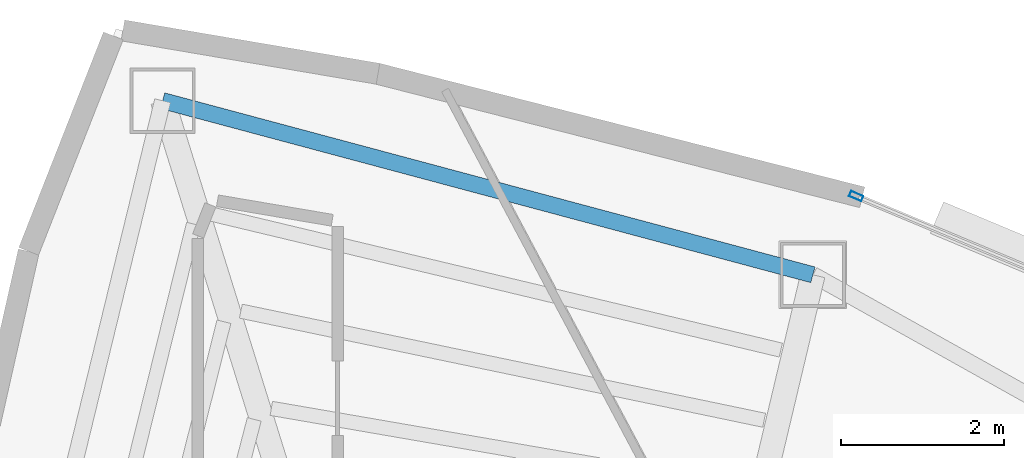
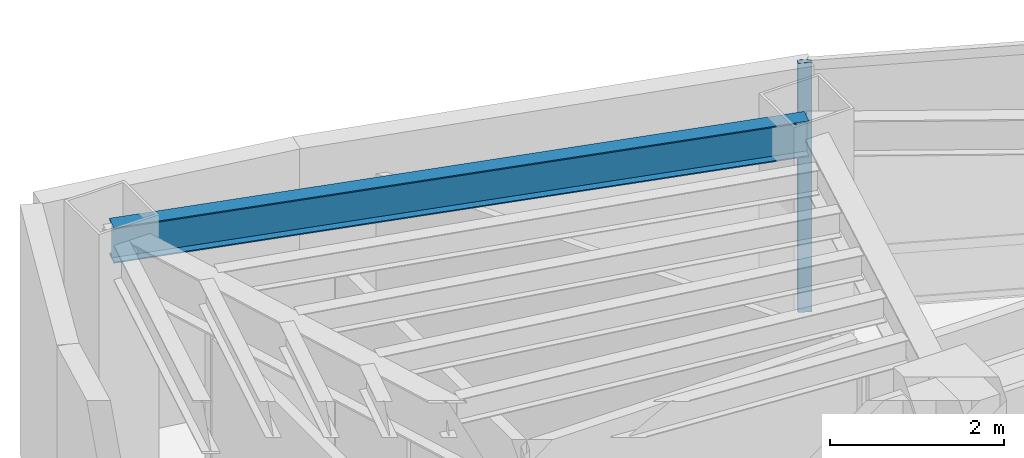
# One storey, part 9 of 15: 1 beam, 1 member, 1 element without a shape of its own.
"""IFC4 building model written with IfcOpenShell, lengths in metres."""

import ifcopenshell
import ifcopenshell.guid

model = None  # the IFC model being written
_history = None  # IfcOwnerHistory: only IFC2X3 demands one
_inside = {}  # id of a spatial element -> (the spatial element, [elements in it])
_under = {}  # id of a project, library or spatial element -> (it, [spatial elements below it])
_declared = {}  # id of a project -> (the project, [libraries it declares])
_typed = {}  # id of a type object -> (the type object, [elements of that type])
_made_of = {}  # id of a material, layer set ... -> (it, [elements and type objects made of it])


def new_model(schema):
    """Start an empty IFC model of exactly this schema.

    Asked for "IFC4X3", IfcOpenShell would pick the latest addendum, in which some entities
    have other attributes; the version numbers below select the first issue.
    IFC2X3 requires an IfcOwnerHistory on every rooted entity: one is made here for all.
    """
    global model, _history
    if schema == "IFC4X3":
        model = ifcopenshell.file(schema_version=(4, 3, 0, 0))
    else:
        model = ifcopenshell.file(schema=schema)
    _inside.clear()
    _under.clear()
    _declared.clear()
    _typed.clear()
    _made_of.clear()
    _history = None
    if model.schema == "IFC2X3":
        org = make("IfcOrganization", Name="unknown")
        user = make(
            "IfcPersonAndOrganization",
            ThePerson=make("IfcPerson", FamilyName="unknown"),
            TheOrganization=org,
        )
        app = make(
            "IfcApplication",
            ApplicationDeveloper=org,
            Version="unknown",
            ApplicationFullName="unknown",
            ApplicationIdentifier="unknown",
        )
        _history = make(
            "IfcOwnerHistory",
            OwningUser=user,
            OwningApplication=app,
            ChangeAction="ADDED",
            CreationDate=0,
        )
    return model


def make(cls, **values):
    """One entity of the class cls with the attributes given. An attribute that is None is left unset."""
    return model.create_entity(
        cls, **{name: value for name, value in values.items() if value is not None}
    )


def rooted(cls, **values):
    """An entity with a GlobalId (a new one), such as an element, a storey or a relation."""
    return make(cls, GlobalId=ifcopenshell.guid.new(), OwnerHistory=_history, **values)


def si_unit(unit_type, name, prefix=None):
    """IfcSIUnit, for example si_unit("LENGTHUNIT", "METRE", prefix="MILLI")."""
    return make("IfcSIUnit", UnitType=unit_type, Prefix=prefix, Name=name)


def assignment(units):
    """IfcUnitAssignment: the units of a project."""
    return None if units is None else make("IfcUnitAssignment", Units=units)


def point(xyz):
    """IfcCartesianPoint."""
    return None if xyz is None else make("IfcCartesianPoint", Coordinates=xyz)


def direction(xyz):
    """IfcDirection."""
    return None if xyz is None else make("IfcDirection", DirectionRatios=xyz)


def frame(location, z_axis=None, x_axis=None):
    """IfcAxis2Placement3D, a coordinate frame: its origin and axes. An axis left out is left unset."""
    return make(
        "IfcAxis2Placement3D",
        Location=point(location),
        Axis=direction(z_axis),
        RefDirection=direction(x_axis),
    )


def frame_2d(location, x_axis=None):
    """IfcAxis2Placement2D, a coordinate frame in the plane: its origin and x axis."""
    return make(
        "IfcAxis2Placement2D", Location=point(location), RefDirection=direction(x_axis)
    )


def origin():
    """The frame at (0, 0, 0) with its axes left unset."""
    return frame((0.0, 0.0, 0.0))


def origin_2d():
    """The frame at (0, 0) in the plane with its x axis left unset."""
    return frame_2d((0.0, 0.0))


def place(relative_to, where):
    """IfcLocalPlacement: puts the frame where relative to a parent placement (None: the world)."""
    return make(
        "IfcLocalPlacement", PlacementRelTo=relative_to, RelativePlacement=where
    )


def context(
    kind, dimensions, precision=None, world=None, true_north=None, identifier=None
):
    """IfcGeometricRepresentationContext, for example the 3D "Model" context."""
    return make(
        "IfcGeometricRepresentationContext",
        ContextIdentifier=identifier,
        ContextType=kind,
        CoordinateSpaceDimension=dimensions,
        Precision=precision,
        WorldCoordinateSystem=world,
        TrueNorth=true_north,
    )


def subcontext(parent, identifier, kind, view, scale=None):
    """IfcGeometricRepresentationSubContext, for example "Body" below "Model"."""
    return make(
        "IfcGeometricRepresentationSubContext",
        ContextIdentifier=identifier,
        ContextType=kind,
        ParentContext=parent,
        TargetScale=scale,
        TargetView=view,
    )


def project(units=None, contexts=None):
    """IfcProject with its units and contexts."""
    return rooted(
        "IfcProject",
        Name="project",
        RepresentationContexts=contexts,
        UnitsInContext=assignment(units),
    )


def spatial(cls, under=None, at=None, **own):
    """A site, building, storey or space (cls), placed at a placement, below another one or the project."""
    s = rooted(cls, ObjectPlacement=at, **own)
    if under is not None:
        _under.setdefault(under.id(), (under, []))[1].append(s)
    return s


def profile(cls, at=None, kind="AREA", **sizes):
    """A parametric profile (cls). Its sizes go by their IFC names, for example OverallWidth=200.0."""
    return make(cls, ProfileType=kind, Position=at, **sizes)


def hollow_rectangle(**sizes):
    """IfcRectangleHollowProfileDef."""
    return profile("IfcRectangleHollowProfileDef", **sizes)


def i_section(**sizes):
    """IfcIShapeProfileDef."""
    return profile("IfcIShapeProfileDef", **sizes)


def extrude(swept, where, along, depth):
    """IfcExtrudedAreaSolid: the profile swept, set in the frame where, extruded along a direction by depth."""
    return make(
        "IfcExtrudedAreaSolid",
        SweptArea=swept,
        Position=where,
        ExtrudedDirection=direction(along),
        Depth=depth,
    )


def shape(context_of_items, identifier, shape_type, items):
    """IfcShapeRepresentation: the items that make up one representation, for example the "Body"."""
    return make(
        "IfcShapeRepresentation",
        ContextOfItems=context_of_items,
        RepresentationIdentifier=identifier,
        RepresentationType=shape_type,
        Items=items,
    )


def material(Name=None, Category=None):
    """IfcMaterial."""
    return make("IfcMaterial", Name=Name, Category=Category)


def layer(
    of_material, thickness, ventilated=None, Name=None, Category=None, Priority=None
):
    """IfcMaterialLayer: one layer of a wall or slab, of a material (None: an air gap)."""
    return make(
        "IfcMaterialLayer",
        Material=of_material,
        LayerThickness=thickness,
        IsVentilated=ventilated,
        Name=Name,
        Category=Category,
        Priority=Priority,
    )


def layer_set(layers, Name=None):
    """IfcMaterialLayerSet."""
    return make("IfcMaterialLayerSet", MaterialLayers=layers, LayerSetName=Name)


def material_profile(
    of_material, cross_section, Name=None, Category=None, Priority=None
):
    """IfcMaterialProfile: a cross section and its material."""
    return make(
        "IfcMaterialProfile",
        Name=Name,
        Material=of_material,
        Profile=cross_section,
        Priority=Priority,
        Category=Category,
    )


def profile_set(profiles, Name=None, composite=None):
    """IfcMaterialProfileSet."""
    return make(
        "IfcMaterialProfileSet",
        Name=Name,
        MaterialProfiles=profiles,
        CompositeProfile=composite,
    )


def made_of(thing, what):
    """Note that an element or type object is made of a material, layer set ...; save() writes the relation."""
    if what is not None:
        _made_of.setdefault(what.id(), (what, []))[1].append(thing)
    return thing


def type_object(cls, material=None, **own):
    """A type object (cls), such as IfcWallType, which elements share."""
    return made_of(rooted(cls, **own), material)


def element(
    cls,
    number,
    at=None,
    inside=None,
    cuts=None,
    type_object=None,
    material=None,
    context=None,
    identifier="Body",
    shape_type=None,
    held_by="IfcProductDefinitionShape",
    body=None,
    shapes=None,
    **own,
):
    """One element of the class cls, such as IfcWall. Its Tag is "e" and its number.

    at: its placement. inside: the storey or other place that contains it. cuts: it is an
    opening in that element (IfcRelVoidsElement). A single representation is given by context,
    identifier, shape_type and body (its items); several are given by shapes. held_by: the class
    of the entity that holds the representations. save() writes the other relations.
    """
    e = rooted(cls, Tag="e%d" % number, ObjectPlacement=at, **own)
    if body is not None:
        shapes = [shape(context, identifier, shape_type, body)]
    if shapes is not None:
        e.Representation = make(held_by, Representations=shapes)
    if inside is not None:
        _inside.setdefault(inside.id(), (inside, []))[1].append(e)
    if cuts is not None:
        rooted(
            "IfcRelVoidsElement", RelatingBuildingElement=cuts, RelatedOpeningElement=e
        )
    if type_object is not None:
        _typed.setdefault(type_object.id(), (type_object, []))[1].append(e)
    return made_of(e, material)


def aggregate(whole, parts):
    """IfcRelAggregates: a whole, such as a stair, and the parts it consists of."""
    return rooted("IfcRelAggregates", RelatingObject=whole, RelatedObjects=parts)


def save(model, path):
    """Write the relations noted so far, then the file.

    IfcRelAggregates (storeys below a building ...), IfcRelContainedInSpatialStructure (elements
    in a storey), IfcRelDefinesByType, IfcRelAssociatesMaterial and IfcRelDeclares: one each for
    every whole, place, type object, material and project.
    """
    for whole, parts in _under.values():
        aggregate(whole, parts)
    for where, things in _inside.values():
        rooted(
            "IfcRelContainedInSpatialStructure",
            RelatedElements=things,
            RelatingStructure=where,
        )
    for kind, things in _typed.values():
        rooted("IfcRelDefinesByType", RelatedObjects=things, RelatingType=kind)
    for what, things in _made_of.values():
        rooted("IfcRelAssociatesMaterial", RelatedObjects=things, RelatingMaterial=what)
    for by, libraries in _declared.values():
        rooted("IfcRelDeclares", RelatingContext=by, RelatedDefinitions=libraries)
    model.write(path)


model = new_model("IFC4")

# Units and contexts
model_context = context("Model", 3, precision=1e-05, world=origin(), true_north=direction((0.0, 1.0)))
body_context = subcontext(model_context, "Body", "Model", "MODEL_VIEW")
ifc_project = project(units=[si_unit("LENGTHUNIT", "METRE"), si_unit("AREAUNIT", "SQUARE_METRE"), si_unit("VOLUMEUNIT", "CUBIC_METRE"), si_unit("PLANEANGLEUNIT", "RADIAN"), si_unit("MASSUNIT", "GRAM", prefix="KILO")], contexts=[model_context])

# Site, building, storey
site_placement = place(None, origin())
site = spatial("IfcSite", under=ifc_project, at=site_placement, CompositionType="ELEMENT")
building_placement = place(site_placement, origin())
building = spatial("IfcBuilding", under=site, at=building_placement, Name="Menara Vayukalpa", CompositionType="ELEMENT")
storey_placement = place(building_placement, frame((0.0, 0.0, 250.860107421875)))
storey = spatial("IfcBuildingStorey", under=building, at=storey_placement, Name="L63", CompositionType="ELEMENT", Elevation=250.860107421875)

# Beam
ifc_material_1 = material(Name="Steel S355", Category="steel")
ifc_material_profile_1 = material_profile(ifc_material_1, i_section(OverallWidth=0.199951171875, OverallDepth=0.5, WebThickness=0.010009765625, FlangeThickness=0.01611328125, at=origin_2d()), Name="WF 500x200x10x16")
ifc_profile_set_1 = profile_set([ifc_material_profile_1], Name="Steel S355")
beam_type = type_object("IfcBeamType", Name="BM-SP3", PredefinedType="SPANDREL", material=ifc_profile_set_1)
beam_placement = place(storey_placement, frame((23.3818359375, 32.40478515625, 3.25), z_axis=(-0.965978332552, 0.258623009494, 0.0), x_axis=(-0.258623009494, -0.965978332552, 0.0)))
element("IfcBeam", 1, at=beam_placement, inside=storey, type_object=beam_type, Name="L63 Perimeter Spandrel Beam SP03", PredefinedType="SPANDREL", context=body_context, shape_type="SweptSolid", body=[
    extrude(i_section(OverallWidth=0.199951171875, OverallDepth=0.5, WebThickness=0.010009765625, FlangeThickness=0.01611328125, at=origin_2d()), origin(), (0.0, 0.0, 1.0), 8.274169921875),
])

# Curtain wall, member
ifc_material_2 = material(Name="Anodised Terracotta Aluminium Alloy 6063-T6", Category="masonry")
ifc_layer = layer(ifc_material_2, 0.1650390625)
ifc_layer_set = layer_set([ifc_layer], Name="Anodised Terracotta Aluminium Alloy 6063-T6")
curtain_wall_type = type_object("IfcCurtainWallType", Name="CW-CW6", PredefinedType="USERDEFINED", material=ifc_layer_set)
curtain_wall_placement = place(storey_placement, origin())
curtain_wall = element("IfcCurtainWall", 2, at=curtain_wall_placement, inside=storey, type_object=curtain_wall_type, Name="L63 Observation and Executive Curtain Wall CW6 05", ObjectType="UNITISED", PredefinedType="USERDEFINED")
ifc_material_3 = material(Name="Anodised Terracotta Aluminium Alloy 6063-T6", Category="masonry")
ifc_material_profile_2 = material_profile(ifc_material_3, hollow_rectangle(XDim=0.070068359375, YDim=0.1650390625, WallThickness=0.00390625, at=origin_2d()), Name="ALU 70x165x4")
ifc_profile_set_2 = profile_set([ifc_material_profile_2], Name="Anodised Terracotta Aluminium Alloy 6063-T6")
member_type = type_object("IfcMemberType", Name="CWM-CW6", PredefinedType="MULLION", material=ifc_profile_set_2)
member_placement = place(storey_placement, frame((23.913330078125, 33.37158203125, 0.0), z_axis=(0.0, 0.0, 1.0), x_axis=(-0.385899911703, -0.922540653927, 0.0)))
member = element("IfcMember", 3, at=member_placement, type_object=member_type, Name="CW6 mullion 3", PredefinedType="MULLION", context=body_context, shape_type="SweptSolid", body=[
    extrude(hollow_rectangle(XDim=0.070068359375, YDim=0.1650390625, WallThickness=0.00390625, at=origin_2d()), origin(), (0.0, 0.0, 1.0), 3.5),
])
aggregate(curtain_wall, [member])

save(model, "model.ifc")
